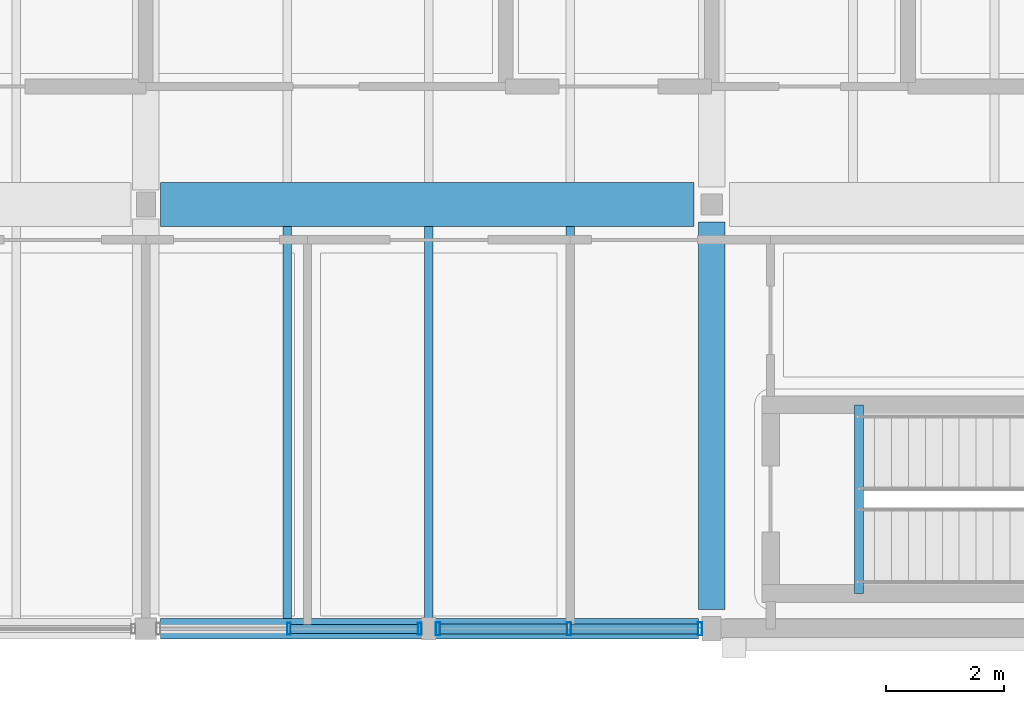
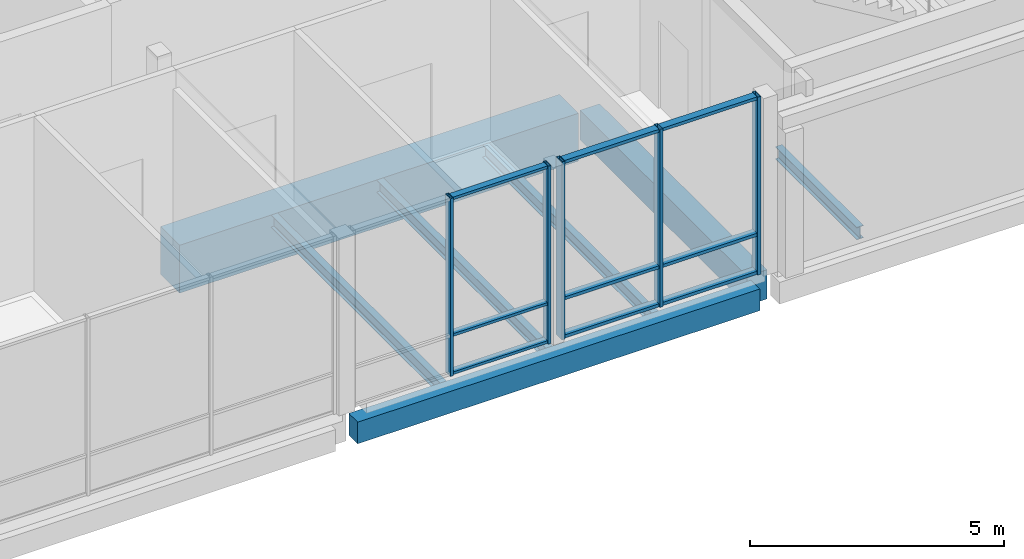
# One storey, part 60 of 146: 14 members, 7 beams, 2 elements without a shape of their own.
"""IFC4 building model written with IfcOpenShell, lengths in metres."""

from ifc_helpers import new_model, si_unit, direction, frame, origin, origin_2d, place, context, subcontext, project, spatial, rectangle, hollow_rectangle, i_section, extrude, material, material_profile, profile_set, type_object, element, aggregate, save


model = new_model("IFC4")

# Units and contexts
model_context = context("Model", 3, precision=1e-05, world=origin(), true_north=direction((0.0, 1.0)))
body_context = subcontext(model_context, "Body", "Model", "MODEL_VIEW")
ifc_project = project(units=[si_unit("LENGTHUNIT", "METRE"), si_unit("AREAUNIT", "SQUARE_METRE"), si_unit("VOLUMEUNIT", "CUBIC_METRE"), si_unit("PLANEANGLEUNIT", "RADIAN"), si_unit("MASSUNIT", "GRAM", prefix="KILO")], contexts=[model_context])

# Site, building, storey
site_placement = place(None, origin())
site = spatial("IfcSite", under=ifc_project, at=site_placement, CompositionType="ELEMENT")
building_placement = place(site_placement, origin())
building = spatial("IfcBuilding", under=site, at=building_placement, Name="Hawrajan Terrace Health Centre", CompositionType="ELEMENT")
storey_placement = place(building_placement, frame((0.0, 0.0, 4.5)))
storey = spatial("IfcBuildingStorey", under=building, at=storey_placement, Name="L01", CompositionType="ELEMENT", Elevation=4.5)

# Curtain wall, members
ifc_material_1 = material(Name="Anodized bronze aluminium and low-E solar glazing", Category="aluminium")
curtain_wall_type_1 = type_object("IfcCurtainWallType", Name="CW_Vestibule_SeriesH1", PredefinedType="USERDEFINED", material=ifc_material_1)
curtain_wall_1_placement = place(storey_placement, origin())
curtain_wall_1 = element("IfcCurtainWall", 1, at=curtain_wall_1_placement, inside=storey, type_object=curtain_wall_type_1, Name="Curtain wall CW-L01-091", ObjectType="UNITISED CURTAIN WALL", PredefinedType="USERDEFINED")
ifc_material_2 = material(Name="Anodized bronze aluminium 6063-T6", Category="aluminium")
ifc_material_profile_1 = material_profile(ifc_material_2, hollow_rectangle(XDim=0.06494140625, YDim=0.199951171875, WallThickness=0.00439453125, at=origin_2d()), Name="CW MUL 65x200")
ifc_profile_set_1 = profile_set([ifc_material_profile_1], Name="Anodized bronze aluminium 6063-T6")
member_type_1 = type_object("IfcMemberType", Name="CWMullion_65x200", PredefinedType="MULLION", material=ifc_profile_set_1)
member_1_placement = place(storey_placement, frame((83.830078125, 4.199951171875, -0.0048828125), z_axis=(0.0, 0.0, 1.0), x_axis=(1.0, 0.0, 0.0)))
member_1 = element("IfcMember", 2, at=member_1_placement, type_object=member_type_1, Name="Mullion CW-L01-091-M2", PredefinedType="MULLION", context=body_context, shape_type="SweptSolid", body=[
    extrude(hollow_rectangle(XDim=0.06494140625, YDim=0.199951171875, WallThickness=0.00439453125, at=origin_2d()), origin(), (0.0, 0.0, 1.0), 4.269775390625),
])
member_2_placement = place(storey_placement, frame((86.047607421875, 4.199951171875, -0.0048828125), z_axis=(0.0, 0.0, 1.0), x_axis=(1.0, 0.0, 0.0)))
member_2 = element("IfcMember", 3, at=member_2_placement, type_object=member_type_1, Name="Mullion CW-L01-091-M3", PredefinedType="MULLION", context=body_context, shape_type="SweptSolid", body=[
    extrude(hollow_rectangle(XDim=0.06494140625, YDim=0.199951171875, WallThickness=0.00439453125, at=origin_2d()), origin(), (0.0, 0.0, 1.0), 4.269775390625),
])

curtain_wall_type_2 = type_object("IfcCurtainWallType", Name="CW_Bridge_SeriesJ1", PredefinedType="USERDEFINED", material=ifc_material_1)
curtain_wall_2_placement = place(storey_placement, origin())
curtain_wall_2 = element("IfcCurtainWall", 4, at=curtain_wall_2_placement, inside=storey, type_object=curtain_wall_type_2, Name="Curtain wall CW-L01-092", ObjectType="UNITISED CURTAIN WALL", PredefinedType="USERDEFINED")
ifc_material_profile_2 = material_profile(ifc_material_2, hollow_rectangle(XDim=0.074951171875, YDim=0.219970703125, WallThickness=0.0048828125, at=origin_2d()), Name="CW MUL 75x220")
ifc_profile_set_2 = profile_set([ifc_material_profile_2], Name="Anodized bronze aluminium 6063-T6")
member_type_2 = type_object("IfcMemberType", Name="CWMullion_75x220", PredefinedType="MULLION", material=ifc_profile_set_2)
member_3_placement = place(storey_placement, frame((86.357421875, 4.199951171875, -0.0048828125), z_axis=(0.0, 0.0, 1.0), x_axis=(1.0, 0.0, 0.0)))
member_3 = element("IfcMember", 5, at=member_3_placement, type_object=member_type_2, Name="Mullion CW-L01-092-M1", PredefinedType="MULLION", context=body_context, shape_type="SweptSolid", body=[
    extrude(hollow_rectangle(XDim=0.074951171875, YDim=0.219970703125, WallThickness=0.0048828125, at=origin_2d()), origin(), (0.0, 0.0, 1.0), 4.269775390625),
])
member_4_placement = place(storey_placement, frame((88.580078125, 4.199951171875, -0.0048828125), z_axis=(0.0, 0.0, 1.0), x_axis=(1.0, 0.0, 0.0)))
member_4 = element("IfcMember", 6, at=member_4_placement, type_object=member_type_2, Name="Mullion CW-L01-092-M2", PredefinedType="MULLION", context=body_context, shape_type="SweptSolid", body=[
    extrude(hollow_rectangle(XDim=0.074951171875, YDim=0.219970703125, WallThickness=0.0048828125, at=origin_2d()), origin(), (0.0, 0.0, 1.0), 4.269775390625),
])
member_5_placement = place(storey_placement, frame((90.802490234375, 4.199951171875, -0.0048828125), z_axis=(0.0, 0.0, 1.0), x_axis=(1.0, 0.0, 0.0)))
member_5 = element("IfcMember", 7, at=member_5_placement, type_object=member_type_2, Name="Mullion CW-L01-092-M3", PredefinedType="MULLION", context=body_context, shape_type="SweptSolid", body=[
    extrude(hollow_rectangle(XDim=0.074951171875, YDim=0.219970703125, WallThickness=0.0048828125, at=origin_2d()), origin(), (0.0, 0.0, 1.0), 4.269775390625),
])

# Member
ifc_material_profile_3 = material_profile(ifc_material_2, hollow_rectangle(XDim=0.06494140625, YDim=0.14990234375, WallThickness=0.00390625, at=origin_2d()), Name="CW TRN 65x150")
ifc_profile_set_3 = profile_set([ifc_material_profile_3], Name="Anodized bronze aluminium 6063-T6")
member_type_3 = type_object("IfcMemberType", Name="CWTransom_65x150", PredefinedType="USERDEFINED", material=ifc_profile_set_3)
member_6_placement = place(storey_placement, frame((83.8564453125, 4.199951171875, 0.032470703125), z_axis=(1.0, 0.0, 0.0), x_axis=(0.0, 0.0, 1.0)))
member_6 = element("IfcMember", 8, at=member_6_placement, type_object=member_type_3, Name="Transom CW-L01-091-T2-1", ObjectType="TRANSOM", PredefinedType="USERDEFINED", context=body_context, shape_type="SweptSolid", body=[
    extrude(hollow_rectangle(XDim=0.06494140625, YDim=0.14990234375, WallThickness=0.00390625, at=origin_2d()), origin(), (0.0, 0.0, 1.0), 2.16455078125),
])

member_7_placement = place(storey_placement, frame((83.8564453125, 4.199951171875, 0.949951171875), z_axis=(1.0, 0.0, 0.0), x_axis=(0.0, 0.0, 1.0)))
member_7 = element("IfcMember", 9, at=member_7_placement, type_object=member_type_3, Name="Transom CW-L01-091-T2-2", ObjectType="TRANSOM", PredefinedType="USERDEFINED", context=body_context, shape_type="SweptSolid", body=[
    extrude(hollow_rectangle(XDim=0.06494140625, YDim=0.14990234375, WallThickness=0.00390625, at=origin_2d()), origin(), (0.0, 0.0, 1.0), 2.16455078125),
])

member_8_placement = place(storey_placement, frame((83.8564453125, 4.199951171875, 4.2275390625), z_axis=(1.0, 0.0, 0.0), x_axis=(0.0, 0.0, 1.0)))
member_8 = element("IfcMember", 10, at=member_8_placement, type_object=member_type_3, Name="Transom CW-L01-091-T2-3", ObjectType="TRANSOM", PredefinedType="USERDEFINED", context=body_context, shape_type="SweptSolid", body=[
    extrude(hollow_rectangle(XDim=0.06494140625, YDim=0.14990234375, WallThickness=0.00390625, at=origin_2d()), origin(), (0.0, 0.0, 1.0), 2.16455078125),
])

aggregate(curtain_wall_1, [member_1, member_2, member_6, member_7, member_8])

ifc_material_profile_4 = material_profile(ifc_material_2, hollow_rectangle(XDim=0.074951171875, YDim=0.169921875, WallThickness=0.00439453125, at=origin_2d()), Name="CW TRN 75x170")
ifc_profile_set_4 = profile_set([ifc_material_profile_4], Name="Anodized bronze aluminium 6063-T6")
member_type_4 = type_object("IfcMemberType", Name="CWTransom_75x170", PredefinedType="USERDEFINED", material=ifc_profile_set_4)
member_9_placement = place(storey_placement, frame((86.388916015625, 4.199951171875, 0.03759765625), z_axis=(1.0, 0.0, 0.0), x_axis=(0.0, 0.0, 1.0)))
member_9 = element("IfcMember", 11, at=member_9_placement, type_object=member_type_4, Name="Transom CW-L01-092-T1-1", ObjectType="TRANSOM", PredefinedType="USERDEFINED", context=body_context, shape_type="SweptSolid", body=[
    extrude(hollow_rectangle(XDim=0.074951171875, YDim=0.169921875, WallThickness=0.00439453125, at=origin_2d()), origin(), (0.0, 0.0, 1.0), 2.15966796875),
])

member_10_placement = place(storey_placement, frame((86.388916015625, 4.199951171875, 0.949951171875), z_axis=(1.0, 0.0, 0.0), x_axis=(0.0, 0.0, 1.0)))
member_10 = element("IfcMember", 12, at=member_10_placement, type_object=member_type_4, Name="Transom CW-L01-092-T1-2", ObjectType="TRANSOM", PredefinedType="USERDEFINED", context=body_context, shape_type="SweptSolid", body=[
    extrude(hollow_rectangle(XDim=0.074951171875, YDim=0.169921875, WallThickness=0.00439453125, at=origin_2d()), origin(), (0.0, 0.0, 1.0), 2.15966796875),
])

member_11_placement = place(storey_placement, frame((86.388916015625, 4.199951171875, 4.222412109375), z_axis=(1.0, 0.0, 0.0), x_axis=(0.0, 0.0, 1.0)))
member_11 = element("IfcMember", 13, at=member_11_placement, type_object=member_type_4, Name="Transom CW-L01-092-T1-3", ObjectType="TRANSOM", PredefinedType="USERDEFINED", context=body_context, shape_type="SweptSolid", body=[
    extrude(hollow_rectangle(XDim=0.074951171875, YDim=0.169921875, WallThickness=0.00439453125, at=origin_2d()), origin(), (0.0, 0.0, 1.0), 2.15966796875),
])

member_12_placement = place(storey_placement, frame((88.611572265625, 4.199951171875, 0.03759765625), z_axis=(1.0, 0.0, 0.0), x_axis=(0.0, 0.0, 1.0)))
member_12 = element("IfcMember", 14, at=member_12_placement, type_object=member_type_4, Name="Transom CW-L01-092-T2-1", ObjectType="TRANSOM", PredefinedType="USERDEFINED", context=body_context, shape_type="SweptSolid", body=[
    extrude(hollow_rectangle(XDim=0.074951171875, YDim=0.169921875, WallThickness=0.00439453125, at=origin_2d()), origin(), (0.0, 0.0, 1.0), 2.159423828125),
])

member_13_placement = place(storey_placement, frame((88.611572265625, 4.199951171875, 0.949951171875), z_axis=(1.0, 0.0, 0.0), x_axis=(0.0, 0.0, 1.0)))
member_13 = element("IfcMember", 15, at=member_13_placement, type_object=member_type_4, Name="Transom CW-L01-092-T2-2", ObjectType="TRANSOM", PredefinedType="USERDEFINED", context=body_context, shape_type="SweptSolid", body=[
    extrude(hollow_rectangle(XDim=0.074951171875, YDim=0.169921875, WallThickness=0.00439453125, at=origin_2d()), origin(), (0.0, 0.0, 1.0), 2.159423828125),
])

member_14_placement = place(storey_placement, frame((88.611572265625, 4.199951171875, 4.222412109375), z_axis=(1.0, 0.0, 0.0), x_axis=(0.0, 0.0, 1.0)))
member_14 = element("IfcMember", 16, at=member_14_placement, type_object=member_type_4, Name="Transom CW-L01-092-T2-3", ObjectType="TRANSOM", PredefinedType="USERDEFINED", context=body_context, shape_type="SweptSolid", body=[
    extrude(hollow_rectangle(XDim=0.074951171875, YDim=0.169921875, WallThickness=0.00439453125, at=origin_2d()), origin(), (0.0, 0.0, 1.0), 2.159423828125),
])

aggregate(curtain_wall_2, [member_3, member_4, member_5, member_9, member_10, member_11, member_12, member_13, member_14])

# Beams
ifc_material_3 = material(Name="Concrete C40/50", Category="concrete")
ifc_material_profile_5 = material_profile(ifc_material_3, rectangle(XDim=0.449951171875, YDim=0.699951171875, at=origin_2d()), Name="RC BM 450x700")
ifc_profile_set_5 = profile_set([ifc_material_profile_5], Name="Concrete C40/50")
beam_type_1 = type_object("IfcBeamType", Name="RCGirder_450x700", PredefinedType="BEAM", material=ifc_profile_set_5)
beam_1_placement = place(storey_placement, frame((91.0, 4.52490234375, -0.64990234375), z_axis=(0.0, 1.0, 0.0), x_axis=(-1.0, 0.0, 0.0)))
element("IfcBeam", 17, at=beam_1_placement, inside=storey, type_object=beam_type_1, Name="Beam BM-Y-L01-C-X12-1", PredefinedType="BEAM", context=body_context, shape_type="SweptSolid", body=[
    extrude(rectangle(XDim=0.449951171875, YDim=0.699951171875, at=origin_2d()), origin(), (0.0, 0.0, 1.0), 6.5751953125),
])
ifc_material_profile_6 = material_profile(ifc_material_3, rectangle(XDim=0.35009765625, YDim=0.52001953125, at=origin_2d()), Name="RC SP 350x520")
ifc_profile_set_6 = profile_set([ifc_material_profile_6], Name="Concrete C40/50")
beam_type_2 = type_object("IfcBeamType", Name="RCSpandrel_350x520", PredefinedType="SPANDREL", material=ifc_profile_set_6)
beam_2_placement = place(storey_placement, frame((81.64990234375, 4.199951171875, -0.56005859375), z_axis=(1.0, 0.0, 0.0), x_axis=(0.0, 1.0, 0.0)))
element("IfcBeam", 18, at=beam_2_placement, inside=storey, type_object=beam_type_2, Name="Beam BM-X-L01-C-11-Y1", PredefinedType="SPANDREL", context=body_context, shape_type="SweptSolid", body=[
    extrude(rectangle(XDim=0.35009765625, YDim=0.52001953125, at=origin_2d()), origin(), (0.0, 0.0, 1.0), 9.125),
])
ifc_material_profile_7 = material_profile(ifc_material_3, rectangle(XDim=0.75, YDim=1.14990234375, at=origin_2d()), Name="RC TG 750x1150")
ifc_profile_set_7 = profile_set([ifc_material_profile_7], Name="Concrete C40/50")
beam_type_3 = type_object("IfcBeamType", Name="RCTransferGirder_750x1150", PredefinedType="BEAM", material=ifc_profile_set_7)
beam_3_placement = place(storey_placement, frame((81.64990234375, 11.39990234375, -0.875), z_axis=(1.0, 0.0, 0.0), x_axis=(0.0, 1.0, 0.0)))
element("IfcBeam", 19, at=beam_3_placement, inside=storey, type_object=beam_type_3, Name="Beam BM-X-L01-C-11-Y2", PredefinedType="BEAM", context=body_context, shape_type="SweptSolid", body=[
    extrude(rectangle(XDim=0.75, YDim=1.14990234375, at=origin_2d()), origin(), (0.0, 0.0, 1.0), 9.050048828125),
])
ifc_material_4 = material(Name="Steel S355", Category="steel")
ifc_material_profile_8 = material_profile(ifc_material_4, i_section(OverallWidth=0.14990234375, OverallDepth=0.300048828125, WebThickness=0.007080078125, FlangeThickness=0.0107421875, FilletRadius=0.014892578125, at=origin_2d()), Name="IPE 300")
ifc_profile_set_8 = profile_set([ifc_material_profile_8], Name="Steel S355")
beam_type_4 = type_object("IfcBeamType", Name="SteelBeam_IPE300", PredefinedType="JOIST", material=ifc_profile_set_8)
for number, where, z_axis, x_axis, name in (
    (20, (83.800048828125, 4.375, -0.449951171875), (0.0, 1.0, 0.0), (-1.0, 0.0, 0.0), "Secondary joist JST-L01-C-11-1-1"),
    (21, (86.199951171875, 4.375, -0.449951171875), (0.0, 1.0, 0.0), (-1.0, 0.0, 0.0), "Secondary joist JST-L01-C-11-1-2"),
    (22, (88.60009765625, 4.375, -0.449951171875), (0.0, 1.0, 0.0), (-1.0, 0.0, 0.0), "Secondary joist JST-L01-C-11-1-3"),
):
    element("IfcBeam", number, at=place(storey_placement, frame(where, z_axis=z_axis, x_axis=x_axis)), inside=storey, type_object=beam_type_4, Name=name, PredefinedType="JOIST", context=body_context, shape_type="SweptSolid", body=[
        extrude(i_section(OverallWidth=0.14990234375, OverallDepth=0.300048828125, WebThickness=0.007080078125, FlangeThickness=0.0107421875, FilletRadius=0.014892578125, at=origin_2d()), origin(), (0.0, 0.0, 1.0), 6.64990234375),
    ])
beam_4_placement = place(storey_placement, frame((93.5, 4.800048828125, -0.3701171875), z_axis=(0.0, 1.0, 0.0), x_axis=(-1.0, 0.0, 0.0)))
element("IfcBeam", 23, at=beam_4_placement, inside=storey, type_object=beam_type_4, Name="Stair landing trimmer ST-5-L01-B0", PredefinedType="JOIST", context=body_context, shape_type="SweptSolid", body=[
    extrude(i_section(OverallWidth=0.14990234375, OverallDepth=0.300048828125, WebThickness=0.007080078125, FlangeThickness=0.0107421875, FilletRadius=0.014892578125, at=origin_2d()), origin(), (0.0, 0.0, 1.0), 3.199951171875),
])

save(model, "model.ifc")
